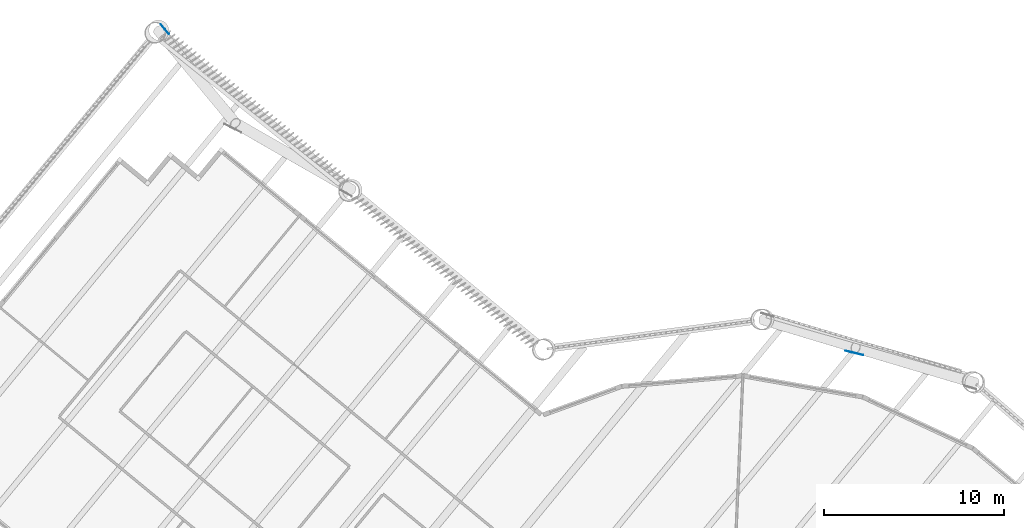
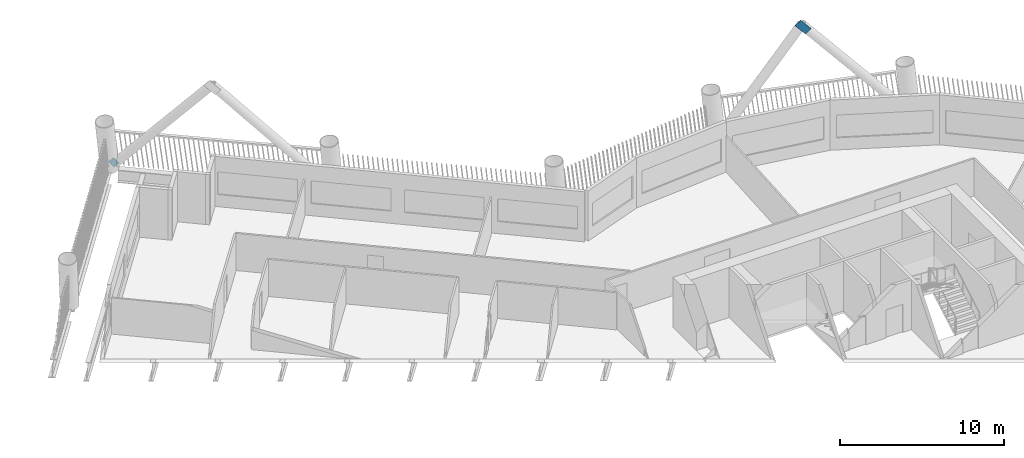
# One storey, part 12 of 22: 2 discrete accessories.
"""IFC4 building model written with IfcOpenShell, lengths in metres."""

import ifcopenshell
import ifcopenshell.guid

model = None  # the IFC model being written
_history = None  # IfcOwnerHistory: only IFC2X3 demands one
_inside = {}  # id of a spatial element -> (the spatial element, [elements in it])
_under = {}  # id of a project, library or spatial element -> (it, [spatial elements below it])
_declared = {}  # id of a project -> (the project, [libraries it declares])
_typed = {}  # id of a type object -> (the type object, [elements of that type])
_made_of = {}  # id of a material, layer set ... -> (it, [elements and type objects made of it])


def new_model(schema):
    """Start an empty IFC model of exactly this schema.

    Asked for "IFC4X3", IfcOpenShell would pick the latest addendum, in which some entities
    have other attributes; the version numbers below select the first issue.
    IFC2X3 requires an IfcOwnerHistory on every rooted entity: one is made here for all.
    """
    global model, _history
    if schema == "IFC4X3":
        model = ifcopenshell.file(schema_version=(4, 3, 0, 0))
    else:
        model = ifcopenshell.file(schema=schema)
    _inside.clear()
    _under.clear()
    _declared.clear()
    _typed.clear()
    _made_of.clear()
    _history = None
    if model.schema == "IFC2X3":
        org = make("IfcOrganization", Name="unknown")
        user = make(
            "IfcPersonAndOrganization",
            ThePerson=make("IfcPerson", FamilyName="unknown"),
            TheOrganization=org,
        )
        app = make(
            "IfcApplication",
            ApplicationDeveloper=org,
            Version="unknown",
            ApplicationFullName="unknown",
            ApplicationIdentifier="unknown",
        )
        _history = make(
            "IfcOwnerHistory",
            OwningUser=user,
            OwningApplication=app,
            ChangeAction="ADDED",
            CreationDate=0,
        )
    return model


def make(cls, **values):
    """One entity of the class cls with the attributes given. An attribute that is None is left unset."""
    return model.create_entity(
        cls, **{name: value for name, value in values.items() if value is not None}
    )


def rooted(cls, **values):
    """An entity with a GlobalId (a new one), such as an element, a storey or a relation."""
    return make(cls, GlobalId=ifcopenshell.guid.new(), OwnerHistory=_history, **values)


def si_unit(unit_type, name, prefix=None):
    """IfcSIUnit, for example si_unit("LENGTHUNIT", "METRE", prefix="MILLI")."""
    return make("IfcSIUnit", UnitType=unit_type, Prefix=prefix, Name=name)


def assignment(units):
    """IfcUnitAssignment: the units of a project."""
    return None if units is None else make("IfcUnitAssignment", Units=units)


def point(xyz):
    """IfcCartesianPoint."""
    return None if xyz is None else make("IfcCartesianPoint", Coordinates=xyz)


def direction(xyz):
    """IfcDirection."""
    return None if xyz is None else make("IfcDirection", DirectionRatios=xyz)


def frame(location, z_axis=None, x_axis=None):
    """IfcAxis2Placement3D, a coordinate frame: its origin and axes. An axis left out is left unset."""
    return make(
        "IfcAxis2Placement3D",
        Location=point(location),
        Axis=direction(z_axis),
        RefDirection=direction(x_axis),
    )


def frame_2d(location, x_axis=None):
    """IfcAxis2Placement2D, a coordinate frame in the plane: its origin and x axis."""
    return make(
        "IfcAxis2Placement2D", Location=point(location), RefDirection=direction(x_axis)
    )


def origin():
    """The frame at (0, 0, 0) with its axes left unset."""
    return frame((0.0, 0.0, 0.0))


def origin_2d():
    """The frame at (0, 0) in the plane with its x axis left unset."""
    return frame_2d((0.0, 0.0))


def place(relative_to, where):
    """IfcLocalPlacement: puts the frame where relative to a parent placement (None: the world)."""
    return make(
        "IfcLocalPlacement", PlacementRelTo=relative_to, RelativePlacement=where
    )


def context(
    kind, dimensions, precision=None, world=None, true_north=None, identifier=None
):
    """IfcGeometricRepresentationContext, for example the 3D "Model" context."""
    return make(
        "IfcGeometricRepresentationContext",
        ContextIdentifier=identifier,
        ContextType=kind,
        CoordinateSpaceDimension=dimensions,
        Precision=precision,
        WorldCoordinateSystem=world,
        TrueNorth=true_north,
    )


def subcontext(parent, identifier, kind, view, scale=None):
    """IfcGeometricRepresentationSubContext, for example "Body" below "Model"."""
    return make(
        "IfcGeometricRepresentationSubContext",
        ContextIdentifier=identifier,
        ContextType=kind,
        ParentContext=parent,
        TargetScale=scale,
        TargetView=view,
    )


def project(units=None, contexts=None):
    """IfcProject with its units and contexts."""
    return rooted(
        "IfcProject",
        Name="project",
        RepresentationContexts=contexts,
        UnitsInContext=assignment(units),
    )


def spatial(cls, under=None, at=None, **own):
    """A site, building, storey or space (cls), placed at a placement, below another one or the project."""
    s = rooted(cls, ObjectPlacement=at, **own)
    if under is not None:
        _under.setdefault(under.id(), (under, []))[1].append(s)
    return s


def profile(cls, at=None, kind="AREA", **sizes):
    """A parametric profile (cls). Its sizes go by their IFC names, for example OverallWidth=200.0."""
    return make(cls, ProfileType=kind, Position=at, **sizes)


def rectangle(**sizes):
    """IfcRectangleProfileDef."""
    return profile("IfcRectangleProfileDef", **sizes)


def extrude(swept, where, along, depth):
    """IfcExtrudedAreaSolid: the profile swept, set in the frame where, extruded along a direction by depth."""
    return make(
        "IfcExtrudedAreaSolid",
        SweptArea=swept,
        Position=where,
        ExtrudedDirection=direction(along),
        Depth=depth,
    )


def shape(context_of_items, identifier, shape_type, items):
    """IfcShapeRepresentation: the items that make up one representation, for example the "Body"."""
    return make(
        "IfcShapeRepresentation",
        ContextOfItems=context_of_items,
        RepresentationIdentifier=identifier,
        RepresentationType=shape_type,
        Items=items,
    )


def material(Name=None, Category=None):
    """IfcMaterial."""
    return make("IfcMaterial", Name=Name, Category=Category)


def material_profile(
    of_material, cross_section, Name=None, Category=None, Priority=None
):
    """IfcMaterialProfile: a cross section and its material."""
    return make(
        "IfcMaterialProfile",
        Name=Name,
        Material=of_material,
        Profile=cross_section,
        Priority=Priority,
        Category=Category,
    )


def profile_set(profiles, Name=None, composite=None):
    """IfcMaterialProfileSet."""
    return make(
        "IfcMaterialProfileSet",
        Name=Name,
        MaterialProfiles=profiles,
        CompositeProfile=composite,
    )


def made_of(thing, what):
    """Note that an element or type object is made of a material, layer set ...; save() writes the relation."""
    if what is not None:
        _made_of.setdefault(what.id(), (what, []))[1].append(thing)
    return thing


def type_object(cls, material=None, **own):
    """A type object (cls), such as IfcWallType, which elements share."""
    return made_of(rooted(cls, **own), material)


def element(
    cls,
    number,
    at=None,
    inside=None,
    cuts=None,
    type_object=None,
    material=None,
    context=None,
    identifier="Body",
    shape_type=None,
    held_by="IfcProductDefinitionShape",
    body=None,
    shapes=None,
    **own,
):
    """One element of the class cls, such as IfcWall. Its Tag is "e" and its number.

    at: its placement. inside: the storey or other place that contains it. cuts: it is an
    opening in that element (IfcRelVoidsElement). A single representation is given by context,
    identifier, shape_type and body (its items); several are given by shapes. held_by: the class
    of the entity that holds the representations. save() writes the other relations.
    """
    e = rooted(cls, Tag="e%d" % number, ObjectPlacement=at, **own)
    if body is not None:
        shapes = [shape(context, identifier, shape_type, body)]
    if shapes is not None:
        e.Representation = make(held_by, Representations=shapes)
    if inside is not None:
        _inside.setdefault(inside.id(), (inside, []))[1].append(e)
    if cuts is not None:
        rooted(
            "IfcRelVoidsElement", RelatingBuildingElement=cuts, RelatedOpeningElement=e
        )
    if type_object is not None:
        _typed.setdefault(type_object.id(), (type_object, []))[1].append(e)
    return made_of(e, material)


def aggregate(whole, parts):
    """IfcRelAggregates: a whole, such as a stair, and the parts it consists of."""
    return rooted("IfcRelAggregates", RelatingObject=whole, RelatedObjects=parts)


def save(model, path):
    """Write the relations noted so far, then the file.

    IfcRelAggregates (storeys below a building ...), IfcRelContainedInSpatialStructure (elements
    in a storey), IfcRelDefinesByType, IfcRelAssociatesMaterial and IfcRelDeclares: one each for
    every whole, place, type object, material and project.
    """
    for whole, parts in _under.values():
        aggregate(whole, parts)
    for where, things in _inside.values():
        rooted(
            "IfcRelContainedInSpatialStructure",
            RelatedElements=things,
            RelatingStructure=where,
        )
    for kind, things in _typed.values():
        rooted("IfcRelDefinesByType", RelatedObjects=things, RelatingType=kind)
    for what, things in _made_of.values():
        rooted("IfcRelAssociatesMaterial", RelatedObjects=things, RelatingMaterial=what)
    for by, libraries in _declared.values():
        rooted("IfcRelDeclares", RelatingContext=by, RelatedDefinitions=libraries)
    model.write(path)


model = new_model("IFC4")

# Units and contexts
model_context = context("Model", 3, precision=1e-05, world=origin(), true_north=direction((0.0, 1.0)))
body_context = subcontext(model_context, "Body", "Model", "MODEL_VIEW")
ifc_project = project(units=[si_unit("LENGTHUNIT", "METRE"), si_unit("AREAUNIT", "SQUARE_METRE"), si_unit("VOLUMEUNIT", "CUBIC_METRE"), si_unit("PLANEANGLEUNIT", "RADIAN"), si_unit("MASSUNIT", "GRAM", prefix="KILO")], contexts=[model_context])

# Site, building, storey
site_placement = place(None, origin())
site = spatial("IfcSite", under=ifc_project, at=site_placement, CompositionType="ELEMENT")
building_placement = place(site_placement, origin())
building = spatial("IfcBuilding", under=site, at=building_placement, Name="Tarsis Ring Headquarters", CompositionType="ELEMENT")
storey_placement = place(building_placement, frame((0.0, 0.0, 108.39990234375)))
storey = spatial("IfcBuildingStorey", under=building, at=storey_placement, Name="L24", CompositionType="ELEMENT", Elevation=108.39990234375)

# Discrete accessories
ifc_material = material(Name="Structural steel S355", Category="steel")
ifc_material_profile = material_profile(ifc_material, rectangle(XDim=0.02490234375, YDim=0.5, at=origin_2d()), Name="PL 25x500")
ifc_profile_set = profile_set([ifc_material_profile], Name="Structural steel S355")
discrete_accessory_type = type_object("IfcDiscreteAccessoryType", Name="Gusset plate Exo brace 25", PredefinedType="BRACKET", material=ifc_profile_set)
discrete_accessory_1_placement = place(storey_placement, frame((7.64599609375, 27.0283203125, 7.425537109375), z_axis=(-0.643846838619, 0.156017493317, 0.749079294988), x_axis=(-0.235505089448, -0.971873115609, 0.0)))
element("IfcDiscreteAccessory", 1, at=discrete_accessory_1_placement, inside=storey, type_object=discrete_accessory_type, Name="Gusset plate GP5", PredefinedType="BRACKET", context=body_context, shape_type="SweptSolid", body=[
    extrude(rectangle(XDim=0.02490234375, YDim=0.5, at=origin_2d()), origin(), (0.0, 0.0, 1.0), 1.0),
])
discrete_accessory_2_placement = place(storey_placement, frame((-31.06787109375, 45.218505859375, 0.0), z_axis=(0.415343741236, -0.500755203887, 0.759429919345), x_axis=(0.76969502213, 0.638411758122, 0.0)))
element("IfcDiscreteAccessory", 2, at=discrete_accessory_2_placement, inside=storey, type_object=discrete_accessory_type, Name="Gusset plate GP5", PredefinedType="BRACKET", context=body_context, shape_type="SweptSolid", body=[
    extrude(rectangle(XDim=0.02490234375, YDim=0.5, at=origin_2d()), origin(), (0.0, 0.0, 1.0), 0.500244140625),
])

save(model, "model.ifc")
